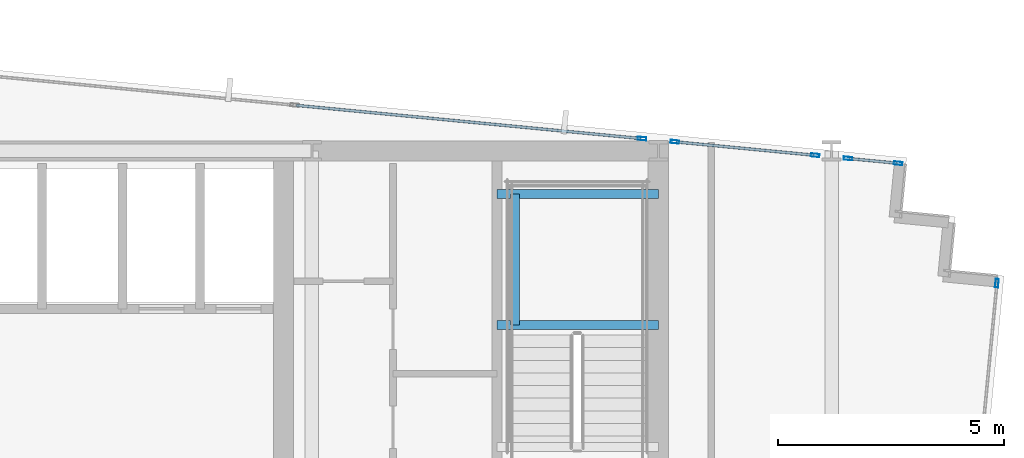
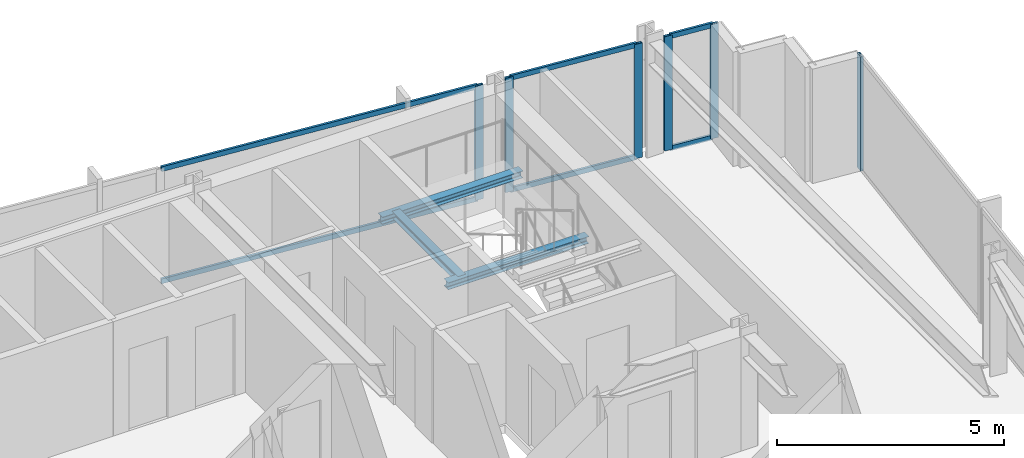
# One storey, part 27 of 38: 12 members, 3 beams, 4 elements without a shape of their own.
"""IFC4 building model written with IfcOpenShell, lengths in metres."""

from ifc_helpers import new_model, si_unit, direction, frame, origin, origin_2d, place, context, subcontext, project, spatial, hollow_rectangle, i_section, extrude, material, material_profile, profile_set, type_object, element, aggregate, save


model = new_model("IFC4")

# Units and contexts
model_context = context("Model", 3, precision=1e-05, world=origin(), true_north=direction((0.0, 1.0)))
body_context = subcontext(model_context, "Body", "Model", "MODEL_VIEW")
ifc_project = project(units=[si_unit("LENGTHUNIT", "METRE"), si_unit("AREAUNIT", "SQUARE_METRE"), si_unit("VOLUMEUNIT", "CUBIC_METRE"), si_unit("PLANEANGLEUNIT", "RADIAN"), si_unit("MASSUNIT", "GRAM", prefix="KILO")], contexts=[model_context])

# Site, building, storey
site_placement = place(None, origin())
site = spatial("IfcSite", under=ifc_project, at=site_placement, CompositionType="ELEMENT")
building_placement = place(site_placement, origin())
building = spatial("IfcBuilding", under=site, at=building_placement, Name="Yelkora Congress Tower", CompositionType="ELEMENT")
storey_placement = place(building_placement, frame((0.0, 0.0, 172.10009765625)))
storey = spatial("IfcBuildingStorey", under=building, at=storey_placement, Name="L47", CompositionType="ELEMENT", Elevation=172.10009765625)

# Beams
ifc_material_1 = material(Name="Steel S355J2", Category="steel")
ifc_material_profile_1 = material_profile(ifc_material_1, i_section(OverallWidth=0.199951171875, OverallDepth=0.18994140625, WebThickness=0.006591796875, FlangeThickness=0.010009765625, FilletRadius=0.01806640625, at=origin_2d()), Name="HEA 200")
ifc_profile_set_1 = profile_set([ifc_material_profile_1], Name="Steel S355J2")
beam_type = type_object("IfcBeamType", Name="BM-LAND-HEA200", PredefinedType="BEAM", material=ifc_profile_set_1)
for number, where, z_axis, x_axis, name in (
    (1, (50.179931640625, 42.340087890625, 1.33447265625), (1.0, 0.0, 0.0), (0.0, 1.0, 0.0), "ST-02 L47 Landing Header Beam 1S"),
    (2, (50.179931640625, 45.25, 1.33447265625), (1.0, 0.0, 0.0), (0.0, 1.0, 0.0), "ST-02 L47 Landing Header Beam 1N"),
):
    element("IfcBeam", number, at=place(storey_placement, frame(where, z_axis=z_axis, x_axis=x_axis)), inside=storey, type_object=beam_type, Name=name, PredefinedType="BEAM", context=body_context, shape_type="SweptSolid", body=[
        extrude(i_section(OverallWidth=0.199951171875, OverallDepth=0.18994140625, WebThickness=0.006591796875, FlangeThickness=0.010009765625, FilletRadius=0.01806640625, at=origin_2d()), origin(), (0.0, 0.0, 1.0), 3.580078125),
    ])
beam_placement = place(storey_placement, frame((50.580078125, 42.340087890625, 1.33447265625), z_axis=(0.0, 1.0, 0.0), x_axis=(-1.0, 0.0, 0.0)))
element("IfcBeam", 3, at=beam_placement, inside=storey, type_object=beam_type, Name="ST-02 L47 Landing Trimmer Beam 1M", PredefinedType="BEAM", context=body_context, shape_type="SweptSolid", body=[
    extrude(i_section(OverallWidth=0.199951171875, OverallDepth=0.18994140625, WebThickness=0.006591796875, FlangeThickness=0.010009765625, FilletRadius=0.01806640625, at=origin_2d()), origin(), (0.0, 0.0, 1.0), 2.909912109375),
])

# Curtain wall, member
ifc_material_2 = material(Name="Anodised aluminium and insulated glass", Category="aluminium")
curtain_wall_type = type_object("IfcCurtainWallType", Name="CW-SYS-B3", PredefinedType="NOTDEFINED", material=ifc_material_2)
curtain_wall_1_placement = place(storey_placement, origin())
curtain_wall_1 = element("IfcCurtainWall", 4, at=curtain_wall_1_placement, inside=storey, type_object=curtain_wall_type, Name="L47 Unitised Curtain Wall 10 (1)", PredefinedType="NOTDEFINED")
ifc_material_3 = material(Name="Anodised aluminium 6063-T6", Category="aluminium")
ifc_material_profile_2 = material_profile(ifc_material_3, hollow_rectangle(XDim=0.070068359375, YDim=0.18994140625, WallThickness=0.00390625, at=origin_2d()), Name="ALU 70x190x4")
ifc_profile_set_2 = profile_set([ifc_material_profile_2], Name="Anodised aluminium 6063-T6")
member_type_1 = type_object("IfcMemberType", Name="MEM-ML-B3", PredefinedType="MULLION", material=ifc_profile_set_2)
member_1_placement = place(storey_placement, frame((53.396240234375, 46.47314453125, 0.0), z_axis=(0.0, 0.0, 1.0), x_axis=(0.095844761168, 0.995396293823, 0.0)))
member_1 = element("IfcMember", 5, at=member_1_placement, type_object=member_type_1, Name="CW-B3 mullion 7", PredefinedType="MULLION", context=body_context, shape_type="SweptSolid", body=[
    extrude(hollow_rectangle(XDim=0.070068359375, YDim=0.18994140625, WallThickness=0.00390625, at=origin_2d()), origin(), (0.0, 0.0, 1.0), 3.079833984375),
])

# Curtain wall, members
curtain_wall_2_placement = place(storey_placement, origin())
curtain_wall_2 = element("IfcCurtainWall", 6, at=curtain_wall_2_placement, inside=storey, type_object=curtain_wall_type, Name="L47 Unitised Curtain Wall 10 (2)", PredefinedType="NOTDEFINED")
member_2_placement = place(storey_placement, frame((54.123779296875, 46.40283203125, 0.0), z_axis=(0.0, 0.0, 1.0), x_axis=(0.095848309157, 0.995395952188, 0.0)))
member_2 = element("IfcMember", 7, at=member_2_placement, type_object=member_type_1, Name="CW-B3 mullion 1", PredefinedType="MULLION", context=body_context, shape_type="SweptSolid", body=[
    extrude(hollow_rectangle(XDim=0.070068359375, YDim=0.18994140625, WallThickness=0.00390625, at=origin_2d()), origin(), (0.0, 0.0, 1.0), 3.079833984375),
])
member_3_placement = place(storey_placement, frame((57.236083984375, 46.103271484375, 0.0), z_axis=(0.0, 0.0, 1.0), x_axis=(0.095848309157, 0.995395952188, 0.0)))
member_3 = element("IfcMember", 8, at=member_3_placement, type_object=member_type_1, Name="CW-B3 mullion 2", PredefinedType="MULLION", context=body_context, shape_type="SweptSolid", body=[
    extrude(hollow_rectangle(XDim=0.070068359375, YDim=0.18994140625, WallThickness=0.00390625, at=origin_2d()), origin(), (0.0, 0.0, 1.0), 3.079833984375),
])

curtain_wall_3_placement = place(storey_placement, origin())
curtain_wall_3 = element("IfcCurtainWall", 9, at=curtain_wall_3_placement, inside=storey, type_object=curtain_wall_type, Name="L47 Unitised Curtain Wall 10 (3)", PredefinedType="NOTDEFINED")
member_4_placement = place(storey_placement, frame((57.9638671875, 46.033203125, 0.0), z_axis=(0.0, 0.0, 1.0), x_axis=(0.095852281686, 0.995395569658, 0.0)))
member_4 = element("IfcMember", 10, at=member_4_placement, type_object=member_type_1, Name="CW-B3 mullion 1", PredefinedType="MULLION", context=body_context, shape_type="SweptSolid", body=[
    extrude(hollow_rectangle(XDim=0.070068359375, YDim=0.18994140625, WallThickness=0.00390625, at=origin_2d()), origin(), (0.0, 0.0, 1.0), 3.079833984375),
])
member_5_placement = place(storey_placement, frame((59.073974609375, 45.92626953125, 0.0), z_axis=(0.0, 0.0, 1.0), x_axis=(0.095852281686, 0.995395569658, 0.0)))
member_5 = element("IfcMember", 11, at=member_5_placement, type_object=member_type_1, Name="CW-B3 mullion 2", PredefinedType="MULLION", context=body_context, shape_type="SweptSolid", body=[
    extrude(hollow_rectangle(XDim=0.070068359375, YDim=0.18994140625, WallThickness=0.00390625, at=origin_2d()), origin(), (0.0, 0.0, 1.0), 3.079833984375),
])

# Curtain wall, member
curtain_wall_4_placement = place(storey_placement, origin())
curtain_wall_4 = element("IfcCurtainWall", 12, at=curtain_wall_4_placement, inside=storey, type_object=curtain_wall_type, Name="L47 Unitised Curtain Wall 15", PredefinedType="NOTDEFINED")
member_6_placement = place(storey_placement, frame((61.26416015625, 43.26904296875, 0.0), z_axis=(0.0, 0.0, 1.0), x_axis=(0.995396565076, -0.095841944023, 0.0)))
member_6 = element("IfcMember", 13, at=member_6_placement, type_object=member_type_1, Name="CW-B3 mullion 1", PredefinedType="MULLION", context=body_context, shape_type="SweptSolid", body=[
    extrude(hollow_rectangle(XDim=0.070068359375, YDim=0.18994140625, WallThickness=0.00390625, at=origin_2d()), origin(), (0.0, 0.0, 1.0), 3.079833984375),
])
aggregate(curtain_wall_4, [member_6])

# Member
ifc_material_profile_3 = material_profile(ifc_material_3, hollow_rectangle(XDim=0.06005859375, YDim=0.1298828125, WallThickness=0.00390625, at=origin_2d()), Name="ALU 60x130x4")
ifc_profile_set_3 = profile_set([ifc_material_profile_3], Name="Anodised aluminium 6063-T6")
member_type_2 = type_object("IfcMemberType", Name="MEM-TR-B3", PredefinedType="USERDEFINED", material=ifc_profile_set_3)
member_7_placement = place(storey_placement, frame((45.732177734375, 47.2109375, 0.02978515625), z_axis=(0.99539600529, -0.095847757686, 0.0), x_axis=(0.095847757686, 0.99539600529, 0.0)))
member_7 = element("IfcMember", 14, at=member_7_placement, type_object=member_type_2, Name="CW-B3 transom 6.1", ObjectType="TRANSOM", PredefinedType="USERDEFINED", context=body_context, shape_type="SweptSolid", body=[
    extrude(hollow_rectangle(XDim=0.06005859375, YDim=0.1298828125, WallThickness=0.00390625, at=origin_2d()), origin(), (0.0, 0.0, 1.0), 7.66455078125),
])

member_8_placement = place(storey_placement, frame((45.732177734375, 47.2109375, 3.0498046875), z_axis=(0.99539600529, -0.095847757686, 0.0), x_axis=(0.095847757686, 0.99539600529, 0.0)))
member_8 = element("IfcMember", 15, at=member_8_placement, type_object=member_type_2, Name="CW-B3 transom 6.2", ObjectType="TRANSOM", PredefinedType="USERDEFINED", context=body_context, shape_type="SweptSolid", body=[
    extrude(hollow_rectangle(XDim=0.06005859375, YDim=0.1298828125, WallThickness=0.00390625, at=origin_2d()), origin(), (0.0, 0.0, 1.0), 7.66455078125),
])

aggregate(curtain_wall_1, [member_1, member_7, member_8])

member_9_placement = place(storey_placement, frame((54.15869140625, 46.399658203125, 0.02978515625), z_axis=(0.995396582455, -0.095841763536, 0.0), x_axis=(0.095841763536, 0.995396582455, 0.0)))
member_9 = element("IfcMember", 16, at=member_9_placement, type_object=member_type_2, Name="CW-B3 transom 1.1", ObjectType="TRANSOM", PredefinedType="USERDEFINED", context=body_context, shape_type="SweptSolid", body=[
    extrude(hollow_rectangle(XDim=0.06005859375, YDim=0.1298828125, WallThickness=0.00390625, at=origin_2d()), origin(), (0.0, 0.0, 1.0), 3.056884765625),
])

member_10_placement = place(storey_placement, frame((54.15869140625, 46.399658203125, 3.0498046875), z_axis=(0.995396582455, -0.095841763536, 0.0), x_axis=(0.095841763536, 0.995396582455, 0.0)))
member_10 = element("IfcMember", 17, at=member_10_placement, type_object=member_type_2, Name="CW-B3 transom 1.2", ObjectType="TRANSOM", PredefinedType="USERDEFINED", context=body_context, shape_type="SweptSolid", body=[
    extrude(hollow_rectangle(XDim=0.06005859375, YDim=0.1298828125, WallThickness=0.00390625, at=origin_2d()), origin(), (0.0, 0.0, 1.0), 3.056884765625),
])

aggregate(curtain_wall_2, [member_2, member_3, member_9, member_10])

member_11_placement = place(storey_placement, frame((57.998779296875, 46.02978515625, 0.02978515625), z_axis=(0.995402606714, -0.095779175957, 0.0), x_axis=(0.095779175957, 0.995402606714, 0.0)))
member_11 = element("IfcMember", 18, at=member_11_placement, type_object=member_type_2, Name="CW-B3 transom 1.1", ObjectType="TRANSOM", PredefinedType="USERDEFINED", context=body_context, shape_type="SweptSolid", body=[
    extrude(hollow_rectangle(XDim=0.06005859375, YDim=0.1298828125, WallThickness=0.00390625, at=origin_2d()), origin(), (0.0, 0.0, 1.0), 1.045166015625),
])

member_12_placement = place(storey_placement, frame((57.998779296875, 46.02978515625, 3.0498046875), z_axis=(0.995402606714, -0.095779175957, 0.0), x_axis=(0.095779175957, 0.995402606714, 0.0)))
member_12 = element("IfcMember", 19, at=member_12_placement, type_object=member_type_2, Name="CW-B3 transom 1.2", ObjectType="TRANSOM", PredefinedType="USERDEFINED", context=body_context, shape_type="SweptSolid", body=[
    extrude(hollow_rectangle(XDim=0.06005859375, YDim=0.1298828125, WallThickness=0.00390625, at=origin_2d()), origin(), (0.0, 0.0, 1.0), 1.045166015625),
])

aggregate(curtain_wall_3, [member_4, member_5, member_11, member_12])

save(model, "model.ifc")
